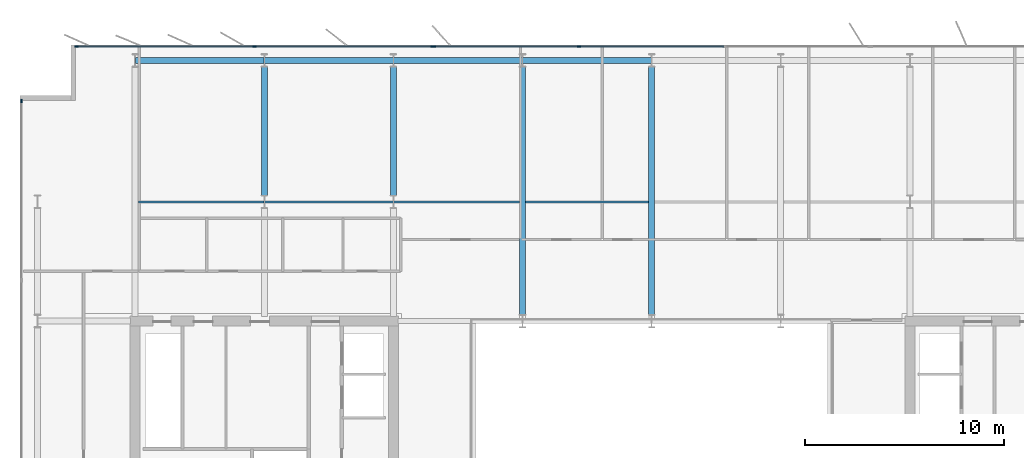
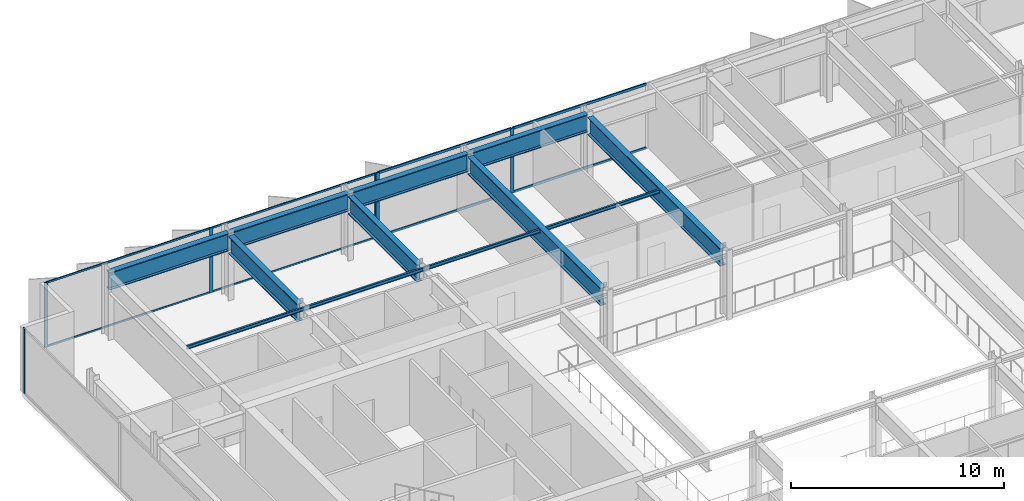
# One storey, part 8 of 20: 14 members, 12 beams, 3 elements without a shape of their own.
"""IFC4 building model written with IfcOpenShell, lengths in metres."""

from ifc_helpers import new_model, si_unit, direction, frame, origin, origin_2d, place, context, subcontext, project, spatial, rectangle, i_section, extrude, material, layer, layer_set, material_profile, profile_set, type_object, element, aggregate, save


model = new_model("IFC4")

# Units and contexts
model_context = context("Model", 3, precision=1e-05, world=origin(), true_north=direction((0.0, 1.0)))
body_context = subcontext(model_context, "Body", "Model", "MODEL_VIEW")
ifc_project = project(units=[si_unit("LENGTHUNIT", "METRE"), si_unit("AREAUNIT", "SQUARE_METRE"), si_unit("VOLUMEUNIT", "CUBIC_METRE"), si_unit("PLANEANGLEUNIT", "RADIAN"), si_unit("MASSUNIT", "GRAM", prefix="KILO")], contexts=[model_context])

# Site, building, storey
site_placement = place(None, origin())
site = spatial("IfcSite", under=ifc_project, at=site_placement, CompositionType="ELEMENT")
building_placement = place(site_placement, origin())
building = spatial("IfcBuilding", under=site, at=building_placement, Name="Putna Gate Headquarters", CompositionType="ELEMENT")
storey_placement = place(building_placement, frame((0.0, 0.0, 306.39990234375)))
storey = spatial("IfcBuildingStorey", under=building, at=storey_placement, Name="L77", CompositionType="ELEMENT", Elevation=306.39990234375)

# Beams
ifc_material_1 = material(Name="Steel S355J2", Category="steel")
ifc_material_profile_1 = material_profile(ifc_material_1, i_section(OverallWidth=0.10009765625, OverallDepth=0.199951171875, WebThickness=0.005615234375, FlangeThickness=0.008544921875, at=origin_2d()), Name="Steel S355J2")
ifc_profile_set_1 = profile_set([ifc_material_profile_1], Name="Steel S355J2")
beam_type_1 = type_object("IfcBeamType", Name="BM-SEC-PLT-IPE200", PredefinedType="JOIST", material=ifc_profile_set_1)
beam_1_placement = place(storey_placement, frame((13.155029296875, 39.0, 3.6201171875), z_axis=(1.0, 0.0, 0.0), x_axis=(0.0, 1.0, 0.0)))
element("IfcBeam", 1, at=beam_1_placement, inside=storey, type_object=beam_type_1, Name="L77 North Secondary Beam 1", PredefinedType="JOIST", context=body_context, shape_type="SweptSolid", body=[
    extrude(i_section(OverallWidth=0.10009765625, OverallDepth=0.199951171875, WebThickness=0.005615234375, FlangeThickness=0.008544921875, at=origin_2d()), origin(), (0.0, 0.0, 1.0), 6.3388671875),
])
beam_2_placement = place(storey_placement, frame((19.506103515625, 39.0, 3.6201171875), z_axis=(1.0, 0.0, 0.0), x_axis=(0.0, 1.0, 0.0)))
element("IfcBeam", 2, at=beam_2_placement, inside=storey, type_object=beam_type_1, Name="L77 North Secondary Beam 2", PredefinedType="JOIST", context=body_context, shape_type="SweptSolid", body=[
    extrude(i_section(OverallWidth=0.10009765625, OverallDepth=0.199951171875, WebThickness=0.005615234375, FlangeThickness=0.008544921875, at=origin_2d()), origin(), (0.0, 0.0, 1.0), 6.48779296875),
])
beam_3_placement = place(storey_placement, frame((26.006103515625, 39.0, 3.6201171875), z_axis=(1.0, 0.0, 0.0), x_axis=(0.0, 1.0, 0.0)))
element("IfcBeam", 3, at=beam_3_placement, inside=storey, type_object=beam_type_1, Name="L77 North Secondary Beam 3", PredefinedType="JOIST", context=body_context, shape_type="SweptSolid", body=[
    extrude(i_section(OverallWidth=0.10009765625, OverallDepth=0.199951171875, WebThickness=0.005615234375, FlangeThickness=0.008544921875, at=origin_2d()), origin(), (0.0, 0.0, 1.0), 6.3388671875),
])
beam_4_placement = place(storey_placement, frame((32.655029296875, 39.0, 3.6201171875), z_axis=(1.0, 0.0, 0.0), x_axis=(0.0, 1.0, 0.0)))
element("IfcBeam", 4, at=beam_4_placement, inside=storey, type_object=beam_type_1, Name="L77 North Secondary Beam 4", PredefinedType="JOIST", context=body_context, shape_type="SweptSolid", body=[
    extrude(i_section(OverallWidth=0.10009765625, OverallDepth=0.199951171875, WebThickness=0.005615234375, FlangeThickness=0.008544921875, at=origin_2d()), origin(), (0.0, 0.0, 1.0), 6.18994140625),
])
ifc_material_2 = material(Name="Steel S460M", Category="steel")
ifc_material_profile_2 = material_profile(ifc_material_2, i_section(OverallWidth=0.302001953125, OverallDepth=1.008056640625, WebThickness=0.02099609375, FlangeThickness=0.0400390625, at=origin_2d()), Name="Steel S460M")
ifc_profile_set_2 = profile_set([ifc_material_profile_2], Name="Steel S460M")
beam_type_2 = type_object("IfcBeamType", Name="BM-TG-HEM1000", PredefinedType="USERDEFINED", material=ifc_profile_set_2)
for number, where, z_axis, x_axis, name in (
    (5, (19.5, 39.322021484375, 3.216064453125), (0.0, 1.0, 0.0), (-1.0, 0.0, 0.0), "L77 North Primary Girder X19-2"),
    (6, (26.0, 39.322021484375, 3.216064453125), (0.0, 1.0, 0.0), (-1.0, 0.0, 0.0), "L77 North Primary Girder X26-2"),
):
    element("IfcBeam", number, at=place(storey_placement, frame(where, z_axis=z_axis, x_axis=x_axis)), inside=storey, type_object=beam_type_2, Name=name, ObjectType="GIRDER", PredefinedType="USERDEFINED", context=body_context, shape_type="SweptSolid", body=[
        extrude(i_section(OverallWidth=0.302001953125, OverallDepth=1.008056640625, WebThickness=0.02099609375, FlangeThickness=0.0400390625, at=origin_2d()), origin(), (0.0, 0.0, 1.0), 6.47607421875),
    ])
for number, where, z_axis, x_axis, name in (
    (7, (32.5, 33.322021484375, 3.216064453125), (0.0, 1.0, 0.0), (-1.0, 0.0, 0.0), "L77 North Primary Girder X32"),
    (8, (39.0, 33.322021484375, 3.216064453125), (0.0, 1.0, 0.0), (-1.0, 0.0, 0.0), "L77 North Primary Girder X39"),
):
    element("IfcBeam", number, at=place(storey_placement, frame(where, z_axis=z_axis, x_axis=x_axis)), inside=storey, type_object=beam_type_2, Name=name, ObjectType="GIRDER", PredefinedType="USERDEFINED", context=body_context, shape_type="SweptSolid", body=[
        extrude(i_section(OverallWidth=0.302001953125, OverallDepth=1.008056640625, WebThickness=0.02099609375, FlangeThickness=0.0400390625, at=origin_2d()), origin(), (0.0, 0.0, 1.0), 12.47607421875),
    ])
ifc_material_profile_3 = material_profile(ifc_material_2, i_section(OverallWidth=0.302001953125, OverallDepth=1.008056640625, WebThickness=0.02099609375, FlangeThickness=0.0400390625, at=origin_2d()), Name="Steel S460M")
ifc_profile_set_3 = profile_set([ifc_material_profile_3], Name="Steel S460M")
beam_type_3 = type_object("IfcBeamType", Name="BM-TG-HEM1000-EXT", PredefinedType="USERDEFINED", material=ifc_profile_set_3)
for number, where, z_axis, x_axis, name in (
    (9, (13.006103515625, 46.1201171875, 3.216064453125), (1.0, 0.0, 0.0), (0.0, 1.0, 0.0), "L77 N Perimeter Spandrel 1"),
    (10, (19.506103515625, 46.1201171875, 3.216064453125), (1.0, 0.0, 0.0), (0.0, 1.0, 0.0), "L77 N Perimeter Spandrel 2"),
    (11, (26.006103515625, 46.1201171875, 3.216064453125), (1.0, 0.0, 0.0), (0.0, 1.0, 0.0), "L77 N Perimeter Spandrel 3"),
    (12, (32.506103515625, 46.1201171875, 3.216064453125), (1.0, 0.0, 0.0), (0.0, 1.0, 0.0), "L77 N Perimeter Spandrel 4"),
):
    element("IfcBeam", number, at=place(storey_placement, frame(where, z_axis=z_axis, x_axis=x_axis)), inside=storey, type_object=beam_type_3, Name=name, ObjectType="GIRDER", PredefinedType="USERDEFINED", context=body_context, shape_type="SweptSolid", body=[
        extrude(i_section(OverallWidth=0.302001953125, OverallDepth=1.008056640625, WebThickness=0.02099609375, FlangeThickness=0.0400390625, at=origin_2d()), origin(), (0.0, 0.0, 1.0), 6.48779296875),
    ])

# Curtain wall, members
ifc_material_3 = material(Name="Anodised bronze aluminium curtain wall", Category="aluminium")
ifc_layer_1 = layer(ifc_material_3, 0.179931640625)
ifc_layer_set_1 = layer_set([ifc_layer_1], Name="Anodised bronze aluminium curtain wall")
curtain_wall_type_1 = type_object("IfcCurtainWallType", Name="CW-SYS-Z5", PredefinedType="USERDEFINED", material=ifc_layer_set_1)
curtain_wall_1_placement = place(storey_placement, origin())
curtain_wall_1 = element("IfcCurtainWall", 13, at=curtain_wall_1_placement, inside=storey, type_object=curtain_wall_type_1, Name="L77 North West Curtain Wall", ObjectType="STICK CURTAIN WALL", PredefinedType="USERDEFINED")
ifc_material_4 = material(Name="Anodised bronze aluminium EN AW-6060", Category="aluminium")
ifc_material_profile_4 = material_profile(ifc_material_4, rectangle(XDim=0.070068359375, YDim=0.179931640625, at=origin_2d()), Name="Anodised bronze aluminium EN AW-6060")
ifc_profile_set_4 = profile_set([ifc_material_profile_4], Name="Anodised bronze aluminium EN AW-6060")
member_type_1 = type_object("IfcMemberType", Name="MULL-CWM-5", PredefinedType="MULLION", material=ifc_profile_set_4)
member_1_placement = place(storey_placement, frame((10.034912109375, 46.820068359375, 0.0), z_axis=(0.0, 0.0, 1.0), x_axis=(0.0, 1.0, 0.0)))
member_1 = element("IfcMember", 14, at=member_1_placement, type_object=member_type_1, Name="CWS-5 mullion 1", PredefinedType="MULLION", context=body_context, shape_type="SweptSolid", body=[
    extrude(rectangle(XDim=0.070068359375, YDim=0.179931640625, at=origin_2d()), origin(), (0.0, 0.0, 1.0), 3.72021484375),
])
member_2_placement = place(storey_placement, frame((19.0, 46.820068359375, 0.0), z_axis=(0.0, 0.0, 1.0), x_axis=(0.0, 1.0, 0.0)))
member_2 = element("IfcMember", 15, at=member_2_placement, type_object=member_type_1, Name="CWS-5 mullion 2", PredefinedType="MULLION", context=body_context, shape_type="SweptSolid", body=[
    extrude(rectangle(XDim=0.070068359375, YDim=0.179931640625, at=origin_2d()), origin(), (0.0, 0.0, 1.0), 3.72021484375),
])
member_3_placement = place(storey_placement, frame((27.965087890625, 46.820068359375, 0.0), z_axis=(0.0, 0.0, 1.0), x_axis=(0.0, 1.0, 0.0)))
member_3 = element("IfcMember", 16, at=member_3_placement, type_object=member_type_1, Name="CWS-5 mullion 3", PredefinedType="MULLION", context=body_context, shape_type="SweptSolid", body=[
    extrude(rectangle(XDim=0.070068359375, YDim=0.179931640625, at=origin_2d()), origin(), (0.0, 0.0, 1.0), 3.72021484375),
])

# Curtain wall, member
curtain_wall_2_placement = place(storey_placement, origin())
curtain_wall_2 = element("IfcCurtainWall", 17, at=curtain_wall_2_placement, inside=storey, type_object=curtain_wall_type_1, Name="L77 West Curtain Wall", ObjectType="STICK CURTAIN WALL", PredefinedType="USERDEFINED")
member_4_placement = place(storey_placement, frame((7.280029296875, 44.06494140625, 0.0), z_axis=(0.0, 0.0, 1.0), x_axis=(-1.0, 0.0, 0.0)))
member_4 = element("IfcMember", 18, at=member_4_placement, type_object=member_type_1, Name="CWS-5 mullion 5", PredefinedType="MULLION", context=body_context, shape_type="SweptSolid", body=[
    extrude(rectangle(XDim=0.070068359375, YDim=0.179931640625, at=origin_2d()), origin(), (0.0, 0.0, 1.0), 3.72021484375),
])
aggregate(curtain_wall_2, [member_4])

# Curtain wall, members
ifc_layer_2 = layer(ifc_material_3, 0.179931640625)
ifc_layer_set_2 = layer_set([ifc_layer_2], Name="Anodised bronze aluminium curtain wall")
curtain_wall_type_2 = type_object("IfcCurtainWallType", Name="CW-SYS-ATR", PredefinedType="USERDEFINED", material=ifc_layer_set_2)
curtain_wall_3_placement = place(storey_placement, origin())
curtain_wall_3 = element("IfcCurtainWall", 19, at=curtain_wall_3_placement, inside=storey, type_object=curtain_wall_type_2, Name="L77 North Atrium Clear Glazing", ObjectType="ATRIUM GLAZING", PredefinedType="USERDEFINED")
ifc_material_profile_5 = material_profile(ifc_material_4, rectangle(XDim=0.070068359375, YDim=0.179931640625, at=origin_2d()), Name="Anodised bronze aluminium EN AW-6060")
ifc_profile_set_5 = profile_set([ifc_material_profile_5], Name="Anodised bronze aluminium EN AW-6060")
member_type_2 = type_object("IfcMemberType", Name="MULL-CWM-AT", PredefinedType="MULLION", material=ifc_profile_set_5)
member_5_placement = place(storey_placement, frame((28.034912109375, 46.820068359375, 0.0), z_axis=(0.0, 0.0, 1.0), x_axis=(0.0, 1.0, 0.0)))
member_5 = element("IfcMember", 20, at=member_5_placement, type_object=member_type_2, Name="CWS-AT mullion 1", PredefinedType="MULLION", context=body_context, shape_type="SweptSolid", body=[
    extrude(rectangle(XDim=0.070068359375, YDim=0.179931640625, at=origin_2d()), origin(), (0.0, 0.0, 1.0), 3.72021484375),
])
member_6_placement = place(storey_placement, frame((35.333251953125, 46.820068359375, 0.0), z_axis=(0.0, 0.0, 1.0), x_axis=(0.0, 1.0, 0.0)))
member_6 = element("IfcMember", 21, at=member_6_placement, type_object=member_type_2, Name="CWS-AT mullion 2", PredefinedType="MULLION", context=body_context, shape_type="SweptSolid", body=[
    extrude(rectangle(XDim=0.070068359375, YDim=0.179931640625, at=origin_2d()), origin(), (0.0, 0.0, 1.0), 3.72021484375),
])

# Member
ifc_material_profile_6 = material_profile(ifc_material_4, rectangle(XDim=0.06005859375, YDim=0.10009765625, at=origin_2d()), Name="Anodised bronze aluminium EN AW-6060")
ifc_profile_set_6 = profile_set([ifc_material_profile_6], Name="Anodised bronze aluminium EN AW-6060")
member_type_3 = type_object("IfcMemberType", Name="TRAN-CWT-5", PredefinedType="USERDEFINED", material=ifc_profile_set_6)
member_7_placement = place(storey_placement, frame((10.070068359375, 46.820068359375, 0.030029296875), z_axis=(1.0, 0.0, 0.0), x_axis=(0.0, 1.0, 0.0)))
member_7 = element("IfcMember", 22, at=member_7_placement, type_object=member_type_3, Name="CWS-5 transom 1.1", ObjectType="TRANSOM", PredefinedType="USERDEFINED", context=body_context, shape_type="SweptSolid", body=[
    extrude(rectangle(XDim=0.06005859375, YDim=0.10009765625, at=origin_2d()), origin(), (0.0, 0.0, 1.0), 8.89501953125),
])

member_8_placement = place(storey_placement, frame((10.070068359375, 46.820068359375, 3.690185546875), z_axis=(1.0, 0.0, 0.0), x_axis=(0.0, 1.0, 0.0)))
member_8 = element("IfcMember", 23, at=member_8_placement, type_object=member_type_3, Name="CWS-5 transom 1.2", ObjectType="TRANSOM", PredefinedType="USERDEFINED", context=body_context, shape_type="SweptSolid", body=[
    extrude(rectangle(XDim=0.06005859375, YDim=0.10009765625, at=origin_2d()), origin(), (0.0, 0.0, 1.0), 8.89501953125),
])

member_9_placement = place(storey_placement, frame((19.034912109375, 46.820068359375, 0.030029296875), z_axis=(1.0, 0.0, 0.0), x_axis=(0.0, 1.0, 0.0)))
member_9 = element("IfcMember", 24, at=member_9_placement, type_object=member_type_3, Name="CWS-5 transom 2.1", ObjectType="TRANSOM", PredefinedType="USERDEFINED", context=body_context, shape_type="SweptSolid", body=[
    extrude(rectangle(XDim=0.06005859375, YDim=0.10009765625, at=origin_2d()), origin(), (0.0, 0.0, 1.0), 8.89501953125),
])

member_10_placement = place(storey_placement, frame((19.034912109375, 46.820068359375, 3.690185546875), z_axis=(1.0, 0.0, 0.0), x_axis=(0.0, 1.0, 0.0)))
member_10 = element("IfcMember", 25, at=member_10_placement, type_object=member_type_3, Name="CWS-5 transom 2.2", ObjectType="TRANSOM", PredefinedType="USERDEFINED", context=body_context, shape_type="SweptSolid", body=[
    extrude(rectangle(XDim=0.06005859375, YDim=0.10009765625, at=origin_2d()), origin(), (0.0, 0.0, 1.0), 8.89501953125),
])

aggregate(curtain_wall_1, [member_1, member_2, member_3, member_7, member_8, member_9, member_10])

ifc_material_profile_7 = material_profile(ifc_material_4, rectangle(XDim=0.070068359375, YDim=0.139892578125, at=origin_2d()), Name="Anodised bronze aluminium EN AW-6060")
ifc_profile_set_7 = profile_set([ifc_material_profile_7], Name="Anodised bronze aluminium EN AW-6060")
member_type_4 = type_object("IfcMemberType", Name="TRAN-CWT-AT", PredefinedType="USERDEFINED", material=ifc_profile_set_7)
member_11_placement = place(storey_placement, frame((28.070068359375, 46.820068359375, 0.03515625), z_axis=(1.0, 0.0, 0.0), x_axis=(0.0, 1.0, 0.0)))
member_11 = element("IfcMember", 26, at=member_11_placement, type_object=member_type_4, Name="CWS-AT transom 1.1", ObjectType="TRANSOM", PredefinedType="USERDEFINED", context=body_context, shape_type="SweptSolid", body=[
    extrude(rectangle(XDim=0.070068359375, YDim=0.139892578125, at=origin_2d()), origin(), (0.0, 0.0, 1.0), 7.228271484375),
])

member_12_placement = place(storey_placement, frame((28.070068359375, 46.820068359375, 3.68505859375), z_axis=(1.0, 0.0, 0.0), x_axis=(0.0, 1.0, 0.0)))
member_12 = element("IfcMember", 27, at=member_12_placement, type_object=member_type_4, Name="CWS-AT transom 1.2", ObjectType="TRANSOM", PredefinedType="USERDEFINED", context=body_context, shape_type="SweptSolid", body=[
    extrude(rectangle(XDim=0.070068359375, YDim=0.139892578125, at=origin_2d()), origin(), (0.0, 0.0, 1.0), 7.228271484375),
])

member_13_placement = place(storey_placement, frame((35.368408203125, 46.820068359375, 0.03515625), z_axis=(1.0, 0.0, 0.0), x_axis=(0.0, 1.0, 0.0)))
member_13 = element("IfcMember", 28, at=member_13_placement, type_object=member_type_4, Name="CWS-AT transom 2.1", ObjectType="TRANSOM", PredefinedType="USERDEFINED", context=body_context, shape_type="SweptSolid", body=[
    extrude(rectangle(XDim=0.070068359375, YDim=0.139892578125, at=origin_2d()), origin(), (0.0, 0.0, 1.0), 7.26318359375),
])

member_14_placement = place(storey_placement, frame((35.368408203125, 46.820068359375, 3.68505859375), z_axis=(1.0, 0.0, 0.0), x_axis=(0.0, 1.0, 0.0)))
member_14 = element("IfcMember", 29, at=member_14_placement, type_object=member_type_4, Name="CWS-AT transom 2.2", ObjectType="TRANSOM", PredefinedType="USERDEFINED", context=body_context, shape_type="SweptSolid", body=[
    extrude(rectangle(XDim=0.070068359375, YDim=0.139892578125, at=origin_2d()), origin(), (0.0, 0.0, 1.0), 7.26318359375),
])

aggregate(curtain_wall_3, [member_5, member_6, member_11, member_12, member_13, member_14])

save(model, "model.ifc")
